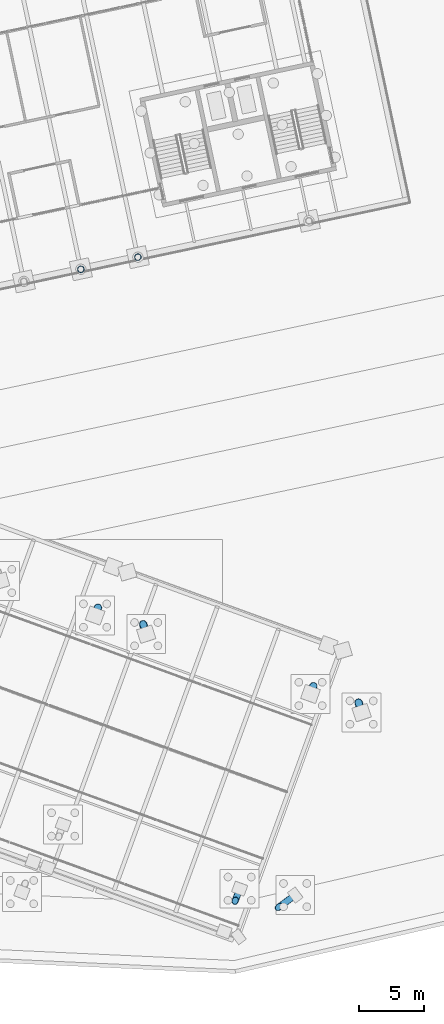
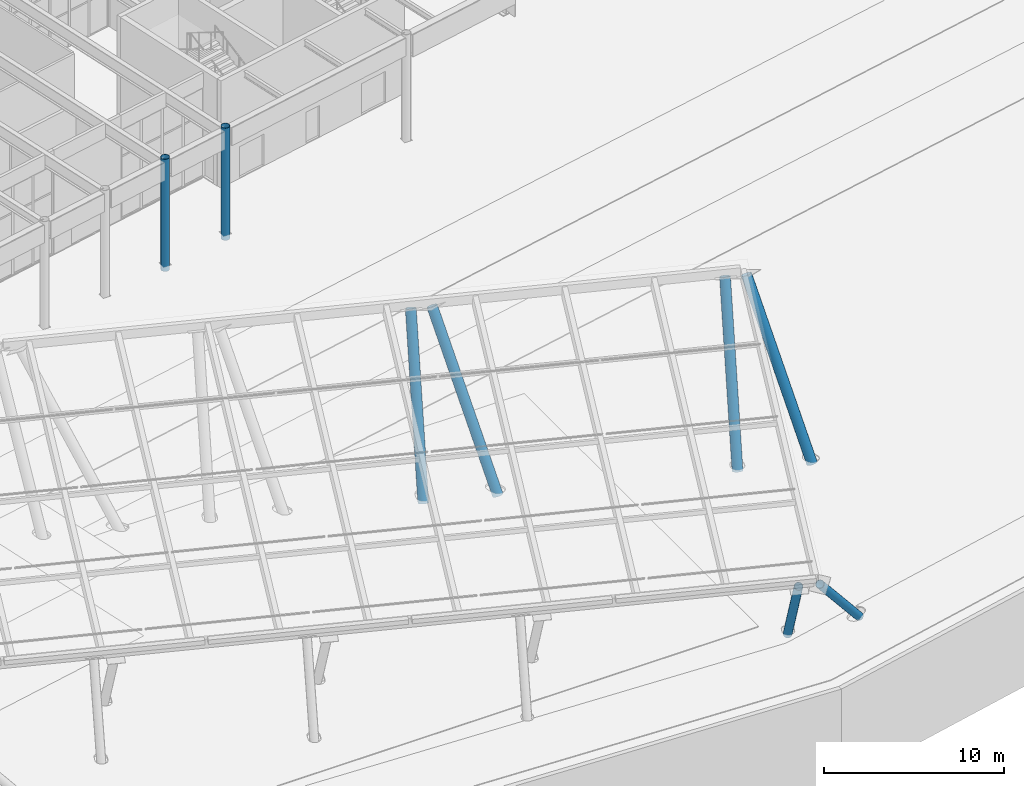
# One storey, part 21 of 239: 8 columns.
"""IFC4 building model written with IfcOpenShell, lengths in metres."""

from ifc_helpers import new_model, si_unit, direction, frame, origin, origin_2d, place, context, subcontext, project, spatial, hollow_circle, extrude, material, material_profile, profile_set, type_object, element, save


model = new_model("IFC4")

# Units and contexts
model_context = context("Model", 3, precision=1e-05, world=origin(), true_north=direction((0.0, 1.0)))
body_context = subcontext(model_context, "Body", "Model", "MODEL_VIEW")
ifc_project = project(units=[si_unit("LENGTHUNIT", "METRE"), si_unit("AREAUNIT", "SQUARE_METRE"), si_unit("VOLUMEUNIT", "CUBIC_METRE"), si_unit("PLANEANGLEUNIT", "RADIAN"), si_unit("MASSUNIT", "GRAM", prefix="KILO")], contexts=[model_context])

# Site, building, storey
site_placement = place(None, origin())
site = spatial("IfcSite", under=ifc_project, at=site_placement, CompositionType="ELEMENT")
building_placement = place(site_placement, origin())
building = spatial("IfcBuilding", under=site, at=building_placement, Name="Okhra Congress Centre", CompositionType="ELEMENT")
storey_placement = place(building_placement, origin())
storey = spatial("IfcBuildingStorey", under=building, at=storey_placement, Name="L00", CompositionType="ELEMENT", Elevation=0.0)

# Columns
ifc_material = material(Name="Steel S355J2H", Category="steel")
ifc_material_profile_1 = material_profile(ifc_material, hollow_circle(Radius=0.25390625, WallThickness=0.02001953125, at=origin_2d()), Name="CHS 508x20")
ifc_profile_set_1 = profile_set([ifc_material_profile_1], Name="Steel S355J2H")
column_type_1 = type_object("IfcColumnType", Name="Raking steel strut CHS 508x20", PredefinedType="COLUMN", material=ifc_profile_set_1)
column_1_placement = place(storey_placement, frame((205.319580078125, 7.051025390625, -0.39990234375), z_axis=(-0.180379287926, -0.495592369498, 0.849618453061), x_axis=(0.939693585395, -0.342017493073, 0.0)))
element("IfcColumn", 1, at=column_1_placement, inside=storey, type_object=column_type_1, Name="Entrance canopy raking strut 10", PredefinedType="COLUMN", context=body_context, shape_type="SweptSolid", body=[
    extrude(hollow_circle(Radius=0.25390625, WallThickness=0.02001953125, at=origin_2d()), origin(), (0.0, 0.0, 1.0), 6.63623046875),
])
column_2_placement = place(storey_placement, frame((209.6083984375, 6.55419921875, -0.39990234375), z_axis=(-0.557831022991, -0.409896898133, 0.721671034953), x_axis=(0.592134469323, -0.805839171448, 0.0)))
element("IfcColumn", 2, at=column_2_placement, inside=storey, type_object=column_type_1, Name="Entrance canopy raking strut 11", PredefinedType="COLUMN", context=body_context, shape_type="SweptSolid", body=[
    extrude(hollow_circle(Radius=0.25390625, WallThickness=0.02001953125, at=origin_2d()), origin(), (0.0, 0.0, 1.0), 7.812744140625),
])
ifc_material_profile_2 = material_profile(ifc_material, hollow_circle(Radius=0.304931640625, WallThickness=0.02490234375, at=origin_2d()), Name="CHS 610x25")
ifc_profile_set_2 = profile_set([ifc_material_profile_2], Name="Steel S355J2H")
column_type_2 = type_object("IfcColumnType", Name="Raking steel strut CHS 610x25", PredefinedType="COLUMN", material=ifc_profile_set_2)
column_3_placement = place(storey_placement, frame((194.159423828125, 28.139892578125, -0.39990234375), z_axis=(0.122564270492, 0.336783778065, 0.933570932726), x_axis=(-0.939706071622, 0.341983185197, 0.0)))
element("IfcColumn", 3, at=column_3_placement, inside=storey, type_object=column_type_2, Name="Entrance canopy raking strut 16", PredefinedType="COLUMN", context=body_context, shape_type="SweptSolid", body=[
    extrude(hollow_circle(Radius=0.304931640625, WallThickness=0.02490234375, at=origin_2d()), origin(), (0.0, 0.0, 1.0), 11.160888671875),
])
column_4_placement = place(storey_placement, frame((198.10595703125, 26.703369140625, -0.39990234375), z_axis=(-0.125544927164, 0.414025749199, 0.901565943381), x_axis=(-0.95697141323, -0.290182208726, 0.0)))
element("IfcColumn", 4, at=column_4_placement, inside=storey, type_object=column_type_2, Name="Entrance canopy raking strut 17", PredefinedType="COLUMN", context=body_context, shape_type="SweptSolid", body=[
    extrude(hollow_circle(Radius=0.304931640625, WallThickness=0.02490234375, at=origin_2d()), origin(), (0.0, 0.0, 1.0), 11.55712890625),
])
column_5_placement = place(storey_placement, frame((210.7919921875, 22.086181640625, -0.39990234375), z_axis=(0.122564270492, 0.336783778065, 0.933570932726), x_axis=(-0.939706071622, 0.341983185197, 0.0)))
element("IfcColumn", 5, at=column_5_placement, inside=storey, type_object=column_type_2, Name="Entrance canopy raking strut 18", PredefinedType="COLUMN", context=body_context, shape_type="SweptSolid", body=[
    extrude(hollow_circle(Radius=0.304931640625, WallThickness=0.02490234375, at=origin_2d()), origin(), (0.0, 0.0, 1.0), 11.160888671875),
])
column_6_placement = place(storey_placement, frame((214.738525390625, 20.649658203125, -0.39990234375), z_axis=(-0.125544927164, 0.414025749199, 0.901565943381), x_axis=(-0.95697141323, -0.290182208726, 0.0)))
element("IfcColumn", 6, at=column_6_placement, inside=storey, type_object=column_type_2, Name="Entrance canopy raking strut 19", PredefinedType="COLUMN", context=body_context, shape_type="SweptSolid", body=[
    extrude(hollow_circle(Radius=0.304931640625, WallThickness=0.02490234375, at=origin_2d()), origin(), (0.0, 0.0, 1.0), 11.55712890625),
])
ifc_material_profile_3 = material_profile(ifc_material, hollow_circle(Radius=0.25390625, WallThickness=0.01611328125, at=origin_2d()), Name="CHS 508x16")
ifc_profile_set_3 = profile_set([ifc_material_profile_3], Name="Steel S355J2H")
column_type_3 = type_object("IfcColumnType", Name="Round steel column CHS 508x16", PredefinedType="COLUMN", material=ifc_profile_set_3)
for number, where, z_axis, x_axis, name in (
    (7, (193.06103515625, 54.877197265625, -0.39990234375), (0.0, 0.0, 1.0), (0.978147600734, 0.207911690818, 0.0), "Round column 27S"),
    (8, (197.462646484375, 55.81298828125, -0.39990234375), (0.0, 0.0, 1.0), (0.978147600734, 0.207911690818, 0.0), "Round column 28S"),
):
    element("IfcColumn", number, at=place(storey_placement, frame(where, z_axis=z_axis, x_axis=x_axis)), inside=storey, type_object=column_type_3, Name=name, PredefinedType="COLUMN", context=body_context, shape_type="SweptSolid", body=[
        extrude(hollow_circle(Radius=0.25390625, WallThickness=0.01611328125, at=origin_2d()), origin(), (0.0, 0.0, 1.0), 7.599853515625),
    ])

save(model, "model.ifc")
